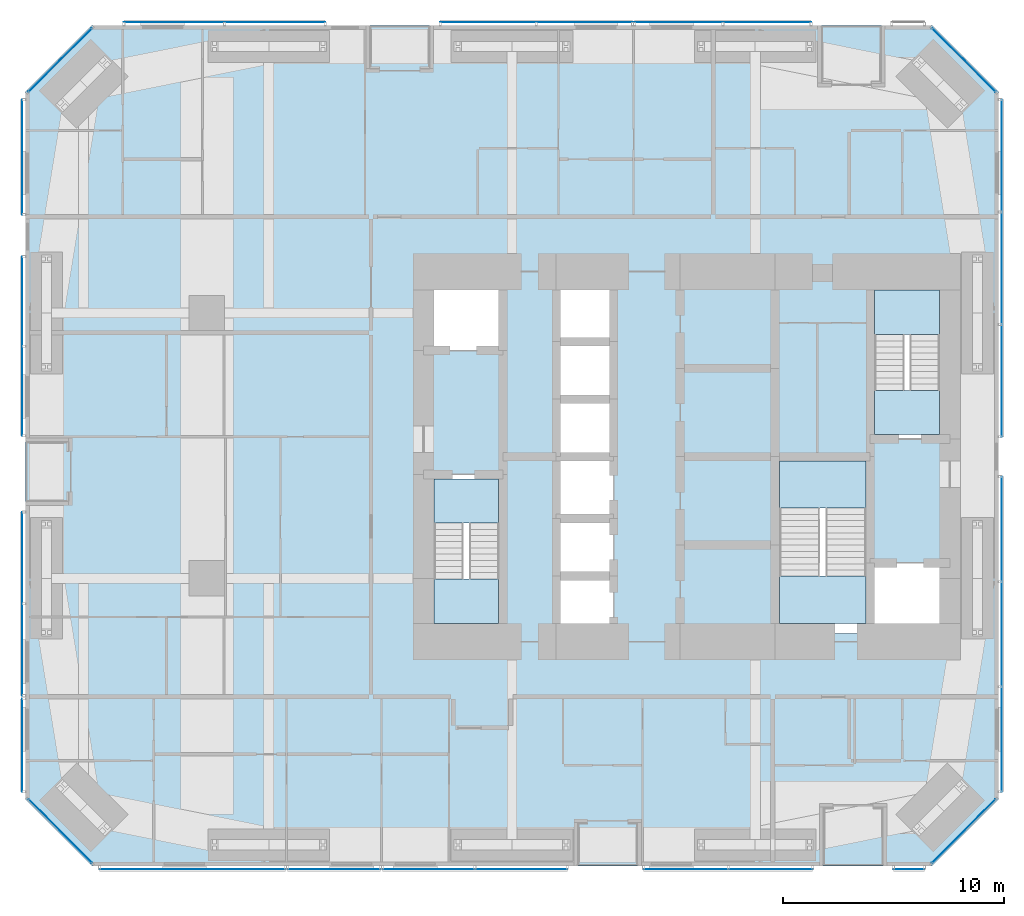
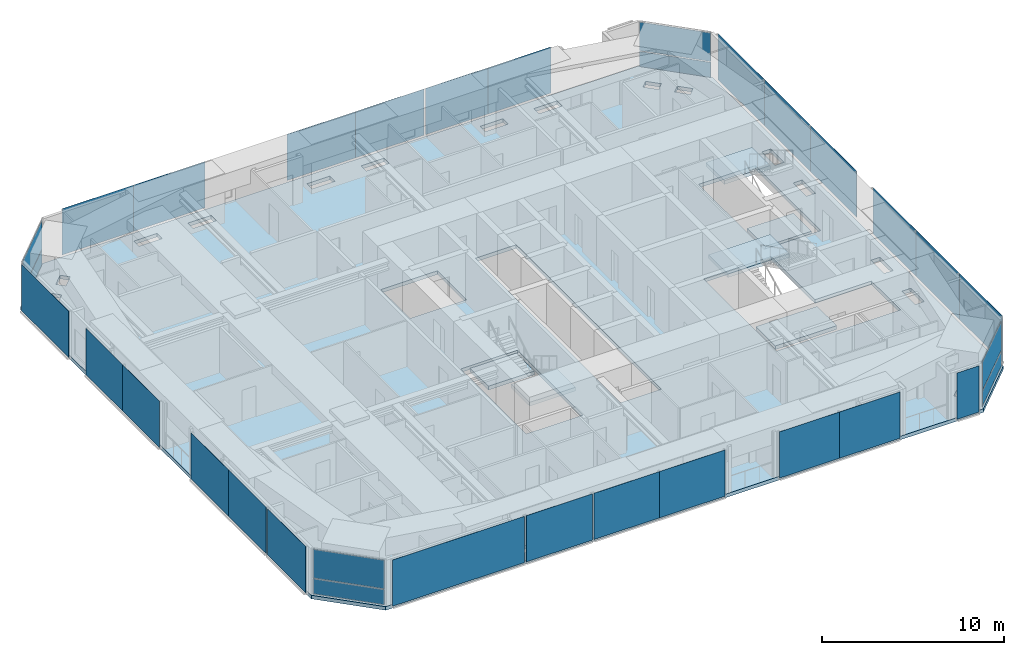
# One storey, part 16 of 24: 33 plates, 7 slabs, 21 elements without a shape of their own.
"""IFC4 building model written with IfcOpenShell, lengths in metres."""

import ifcopenshell
import ifcopenshell.guid

model = None  # the IFC model being written
_history = None  # IfcOwnerHistory: only IFC2X3 demands one
_inside = {}  # id of a spatial element -> (the spatial element, [elements in it])
_under = {}  # id of a project, library or spatial element -> (it, [spatial elements below it])
_declared = {}  # id of a project -> (the project, [libraries it declares])
_typed = {}  # id of a type object -> (the type object, [elements of that type])
_made_of = {}  # id of a material, layer set ... -> (it, [elements and type objects made of it])


def new_model(schema):
    """Start an empty IFC model of exactly this schema.

    Asked for "IFC4X3", IfcOpenShell would pick the latest addendum, in which some entities
    have other attributes; the version numbers below select the first issue.
    IFC2X3 requires an IfcOwnerHistory on every rooted entity: one is made here for all.
    """
    global model, _history
    if schema == "IFC4X3":
        model = ifcopenshell.file(schema_version=(4, 3, 0, 0))
    else:
        model = ifcopenshell.file(schema=schema)
    _inside.clear()
    _under.clear()
    _declared.clear()
    _typed.clear()
    _made_of.clear()
    _history = None
    if model.schema == "IFC2X3":
        org = make("IfcOrganization", Name="unknown")
        user = make(
            "IfcPersonAndOrganization",
            ThePerson=make("IfcPerson", FamilyName="unknown"),
            TheOrganization=org,
        )
        app = make(
            "IfcApplication",
            ApplicationDeveloper=org,
            Version="unknown",
            ApplicationFullName="unknown",
            ApplicationIdentifier="unknown",
        )
        _history = make(
            "IfcOwnerHistory",
            OwningUser=user,
            OwningApplication=app,
            ChangeAction="ADDED",
            CreationDate=0,
        )
    return model


def make(cls, **values):
    """One entity of the class cls with the attributes given. An attribute that is None is left unset."""
    return model.create_entity(
        cls, **{name: value for name, value in values.items() if value is not None}
    )


def rooted(cls, **values):
    """An entity with a GlobalId (a new one), such as an element, a storey or a relation."""
    return make(cls, GlobalId=ifcopenshell.guid.new(), OwnerHistory=_history, **values)


def si_unit(unit_type, name, prefix=None):
    """IfcSIUnit, for example si_unit("LENGTHUNIT", "METRE", prefix="MILLI")."""
    return make("IfcSIUnit", UnitType=unit_type, Prefix=prefix, Name=name)


def assignment(units):
    """IfcUnitAssignment: the units of a project."""
    return None if units is None else make("IfcUnitAssignment", Units=units)


def point(xyz):
    """IfcCartesianPoint."""
    return None if xyz is None else make("IfcCartesianPoint", Coordinates=xyz)


def direction(xyz):
    """IfcDirection."""
    return None if xyz is None else make("IfcDirection", DirectionRatios=xyz)


def frame(location, z_axis=None, x_axis=None):
    """IfcAxis2Placement3D, a coordinate frame: its origin and axes. An axis left out is left unset."""
    return make(
        "IfcAxis2Placement3D",
        Location=point(location),
        Axis=direction(z_axis),
        RefDirection=direction(x_axis),
    )


def frame_2d(location, x_axis=None):
    """IfcAxis2Placement2D, a coordinate frame in the plane: its origin and x axis."""
    return make(
        "IfcAxis2Placement2D", Location=point(location), RefDirection=direction(x_axis)
    )


def origin():
    """The frame at (0, 0, 0) with its axes left unset."""
    return frame((0.0, 0.0, 0.0))


def origin_2d():
    """The frame at (0, 0) in the plane with its x axis left unset."""
    return frame_2d((0.0, 0.0))


def place(relative_to, where):
    """IfcLocalPlacement: puts the frame where relative to a parent placement (None: the world)."""
    return make(
        "IfcLocalPlacement", PlacementRelTo=relative_to, RelativePlacement=where
    )


def context(
    kind, dimensions, precision=None, world=None, true_north=None, identifier=None
):
    """IfcGeometricRepresentationContext, for example the 3D "Model" context."""
    return make(
        "IfcGeometricRepresentationContext",
        ContextIdentifier=identifier,
        ContextType=kind,
        CoordinateSpaceDimension=dimensions,
        Precision=precision,
        WorldCoordinateSystem=world,
        TrueNorth=true_north,
    )


def subcontext(parent, identifier, kind, view, scale=None):
    """IfcGeometricRepresentationSubContext, for example "Body" below "Model"."""
    return make(
        "IfcGeometricRepresentationSubContext",
        ContextIdentifier=identifier,
        ContextType=kind,
        ParentContext=parent,
        TargetScale=scale,
        TargetView=view,
    )


def project(units=None, contexts=None):
    """IfcProject with its units and contexts."""
    return rooted(
        "IfcProject",
        Name="project",
        RepresentationContexts=contexts,
        UnitsInContext=assignment(units),
    )


def spatial(cls, under=None, at=None, **own):
    """A site, building, storey or space (cls), placed at a placement, below another one or the project."""
    s = rooted(cls, ObjectPlacement=at, **own)
    if under is not None:
        _under.setdefault(under.id(), (under, []))[1].append(s)
    return s


def polyline(points):
    """IfcPolyline through the points."""
    return make("IfcPolyline", Points=[point(p) for p in points])


def profile(cls, at=None, kind="AREA", **sizes):
    """A parametric profile (cls). Its sizes go by their IFC names, for example OverallWidth=200.0."""
    return make(cls, ProfileType=kind, Position=at, **sizes)


def rectangle(**sizes):
    """IfcRectangleProfileDef."""
    return profile("IfcRectangleProfileDef", **sizes)


def outline(outer, holes=None, kind="AREA"):
    """IfcArbitraryClosedProfileDef: a profile drawn as a closed curve; with holes, ...WithVoids."""
    if holes is None:
        return make("IfcArbitraryClosedProfileDef", ProfileType=kind, OuterCurve=outer)
    return make(
        "IfcArbitraryProfileDefWithVoids",
        ProfileType=kind,
        OuterCurve=outer,
        InnerCurves=holes,
    )


def extrude(swept, where, along, depth):
    """IfcExtrudedAreaSolid: the profile swept, set in the frame where, extruded along a direction by depth."""
    return make(
        "IfcExtrudedAreaSolid",
        SweptArea=swept,
        Position=where,
        ExtrudedDirection=direction(along),
        Depth=depth,
    )


def shape(context_of_items, identifier, shape_type, items):
    """IfcShapeRepresentation: the items that make up one representation, for example the "Body"."""
    return make(
        "IfcShapeRepresentation",
        ContextOfItems=context_of_items,
        RepresentationIdentifier=identifier,
        RepresentationType=shape_type,
        Items=items,
    )


def material(Name=None, Category=None):
    """IfcMaterial."""
    return make("IfcMaterial", Name=Name, Category=Category)


def layer(
    of_material, thickness, ventilated=None, Name=None, Category=None, Priority=None
):
    """IfcMaterialLayer: one layer of a wall or slab, of a material (None: an air gap)."""
    return make(
        "IfcMaterialLayer",
        Material=of_material,
        LayerThickness=thickness,
        IsVentilated=ventilated,
        Name=Name,
        Category=Category,
        Priority=Priority,
    )


def layer_set(layers, Name=None):
    """IfcMaterialLayerSet."""
    return make("IfcMaterialLayerSet", MaterialLayers=layers, LayerSetName=Name)


def made_of(thing, what):
    """Note that an element or type object is made of a material, layer set ...; save() writes the relation."""
    if what is not None:
        _made_of.setdefault(what.id(), (what, []))[1].append(thing)
    return thing


def type_object(cls, material=None, **own):
    """A type object (cls), such as IfcWallType, which elements share."""
    return made_of(rooted(cls, **own), material)


def element(
    cls,
    number,
    at=None,
    inside=None,
    cuts=None,
    type_object=None,
    material=None,
    context=None,
    identifier="Body",
    shape_type=None,
    held_by="IfcProductDefinitionShape",
    body=None,
    shapes=None,
    **own,
):
    """One element of the class cls, such as IfcWall. Its Tag is "e" and its number.

    at: its placement. inside: the storey or other place that contains it. cuts: it is an
    opening in that element (IfcRelVoidsElement). A single representation is given by context,
    identifier, shape_type and body (its items); several are given by shapes. held_by: the class
    of the entity that holds the representations. save() writes the other relations.
    """
    e = rooted(cls, Tag="e%d" % number, ObjectPlacement=at, **own)
    if body is not None:
        shapes = [shape(context, identifier, shape_type, body)]
    if shapes is not None:
        e.Representation = make(held_by, Representations=shapes)
    if inside is not None:
        _inside.setdefault(inside.id(), (inside, []))[1].append(e)
    if cuts is not None:
        rooted(
            "IfcRelVoidsElement", RelatingBuildingElement=cuts, RelatedOpeningElement=e
        )
    if type_object is not None:
        _typed.setdefault(type_object.id(), (type_object, []))[1].append(e)
    return made_of(e, material)


def aggregate(whole, parts):
    """IfcRelAggregates: a whole, such as a stair, and the parts it consists of."""
    return rooted("IfcRelAggregates", RelatingObject=whole, RelatedObjects=parts)


def save(model, path):
    """Write the relations noted so far, then the file.

    IfcRelAggregates (storeys below a building ...), IfcRelContainedInSpatialStructure (elements
    in a storey), IfcRelDefinesByType, IfcRelAssociatesMaterial and IfcRelDeclares: one each for
    every whole, place, type object, material and project.
    """
    for whole, parts in _under.values():
        aggregate(whole, parts)
    for where, things in _inside.values():
        rooted(
            "IfcRelContainedInSpatialStructure",
            RelatedElements=things,
            RelatingStructure=where,
        )
    for kind, things in _typed.values():
        rooted("IfcRelDefinesByType", RelatedObjects=things, RelatingType=kind)
    for what, things in _made_of.values():
        rooted("IfcRelAssociatesMaterial", RelatedObjects=things, RelatingMaterial=what)
    for by, libraries in _declared.values():
        rooted("IfcRelDeclares", RelatingContext=by, RelatedDefinitions=libraries)
    model.write(path)


model = new_model("IFC4")

# Units and contexts
model_context = context("Model", 3, precision=1e-05, world=origin(), true_north=direction((0.0, 1.0)))
body_context = subcontext(model_context, "Body", "Model", "MODEL_VIEW")
ifc_project = project(units=[si_unit("LENGTHUNIT", "METRE"), si_unit("AREAUNIT", "SQUARE_METRE"), si_unit("VOLUMEUNIT", "CUBIC_METRE"), si_unit("PLANEANGLEUNIT", "RADIAN"), si_unit("MASSUNIT", "GRAM", prefix="KILO")], contexts=[model_context])

# Site, building, storey
site_placement = place(None, origin())
site = spatial("IfcSite", under=ifc_project, at=site_placement, CompositionType="ELEMENT")
building_placement = place(site_placement, origin())
building = spatial("IfcBuilding", under=site, at=building_placement, Name="Jalousie Tower", CompositionType="ELEMENT")
storey_placement = place(building_placement, frame((0.0, 0.0, 61.199951171875)))
storey = spatial("IfcBuildingStorey", under=building, at=storey_placement, Name="L16", CompositionType="ELEMENT", Elevation=61.199951171875)

# Curtain wall, plates
ifc_material_1 = material(Name="Aluminium curtain wall", Category="aluminium")
curtain_wall_type_1 = type_object("IfcCurtainWallType", Name="CORNER WINDOW WALL", PredefinedType="USERDEFINED", material=ifc_material_1)
curtain_wall_1_placement = place(storey_placement, origin())
curtain_wall_1 = element("IfcCurtainWall", 1, at=curtain_wall_1_placement, inside=storey, type_object=curtain_wall_type_1, Name="Corner Window Wall L16 2", ObjectType="CORNER WINDOW WALL", PredefinedType="USERDEFINED")
ifc_material_2 = material(Name="Laminated impact-rated spandrel glass", Category="glass")
ifc_layer_1 = layer(ifc_material_2, 0.028076171875)
ifc_layer_set_1 = layer_set([ifc_layer_1], Name="Laminated impact-rated spandrel glass")
plate_type_1 = type_object("IfcPlateType", Name="CORNER WINDOW WALL PANEL", PredefinedType="CURTAIN_PANEL", material=ifc_layer_set_1)
plate_1_placement = place(storey_placement, frame((44.4306640625, 1.5693359375, 0.06005859375), z_axis=(0.0, 0.0, 1.0), x_axis=(0.707106781187, 0.707106781187, 0.0)))
plate_1 = element("IfcPlate", 2, at=plate_1_placement, type_object=plate_type_1, Name="CW-C panel 1.1", PredefinedType="CURTAIN_PANEL", context=body_context, shape_type="SweptSolid", body=[
    extrude(rectangle(XDim=4.071533203125, YDim=0.028076171875, at=origin_2d()), origin(), (0.0, 0.0, 1.0), 1.010009765625),
])
plate_2_placement = place(storey_placement, frame((44.4306640625, 1.5693359375, 1.130126953125), z_axis=(0.0, 0.0, 1.0), x_axis=(0.707106781187, 0.707106781187, 0.0)))
plate_2 = element("IfcPlate", 3, at=plate_2_placement, type_object=plate_type_1, Name="CW-C panel 1.2", PredefinedType="CURTAIN_PANEL", context=body_context, shape_type="SweptSolid", body=[
    extrude(rectangle(XDim=4.071533203125, YDim=0.028076171875, at=origin_2d()), origin(), (0.0, 0.0, 1.0), 1.919921875),
])
aggregate(curtain_wall_1, [plate_1, plate_2])

curtain_wall_2_placement = place(storey_placement, origin())
curtain_wall_2 = element("IfcCurtainWall", 4, at=curtain_wall_2_placement, inside=storey, type_object=curtain_wall_type_1, Name="Corner Window Wall L16 4", ObjectType="CORNER WINDOW WALL", PredefinedType="USERDEFINED")
plate_3_placement = place(storey_placement, frame((44.4306640625, 36.4306640625, 0.06005859375), z_axis=(0.0, 0.0, 1.0), x_axis=(-0.707106781187, 0.707106781187, 0.0)))
plate_3 = element("IfcPlate", 5, at=plate_3_placement, type_object=plate_type_1, Name="CW-C panel 1.1", PredefinedType="CURTAIN_PANEL", context=body_context, shape_type="SweptSolid", body=[
    extrude(rectangle(XDim=4.071533203125, YDim=0.028076171875, at=origin_2d()), origin(), (0.0, 0.0, 1.0), 1.010009765625),
])
plate_4_placement = place(storey_placement, frame((44.4306640625, 36.4306640625, 1.130126953125), z_axis=(0.0, 0.0, 1.0), x_axis=(-0.707106781187, 0.707106781187, 0.0)))
plate_4 = element("IfcPlate", 6, at=plate_4_placement, type_object=plate_type_1, Name="CW-C panel 1.2", PredefinedType="CURTAIN_PANEL", context=body_context, shape_type="SweptSolid", body=[
    extrude(rectangle(XDim=4.071533203125, YDim=0.028076171875, at=origin_2d()), origin(), (0.0, 0.0, 1.0), 1.919921875),
])
aggregate(curtain_wall_2, [plate_3, plate_4])

curtain_wall_3_placement = place(storey_placement, origin())
curtain_wall_3 = element("IfcCurtainWall", 7, at=curtain_wall_3_placement, inside=storey, type_object=curtain_wall_type_1, Name="Corner Window Wall L16 6", ObjectType="CORNER WINDOW WALL", PredefinedType="USERDEFINED")
plate_5_placement = place(storey_placement, frame((3.5693359375, 36.4306640625, 0.06005859375), z_axis=(0.0, 0.0, 1.0), x_axis=(-0.707106781187, -0.707106781187, 0.0)))
plate_5 = element("IfcPlate", 8, at=plate_5_placement, type_object=plate_type_1, Name="CW-C panel 1.1", PredefinedType="CURTAIN_PANEL", context=body_context, shape_type="SweptSolid", body=[
    extrude(rectangle(XDim=4.071533203125, YDim=0.028076171875, at=origin_2d()), origin(), (0.0, 0.0, 1.0), 1.010009765625),
])
plate_6_placement = place(storey_placement, frame((3.5693359375, 36.4306640625, 1.130126953125), z_axis=(0.0, 0.0, 1.0), x_axis=(-0.707106781187, -0.707106781187, 0.0)))
plate_6 = element("IfcPlate", 9, at=plate_6_placement, type_object=plate_type_1, Name="CW-C panel 1.2", PredefinedType="CURTAIN_PANEL", context=body_context, shape_type="SweptSolid", body=[
    extrude(rectangle(XDim=4.071533203125, YDim=0.028076171875, at=origin_2d()), origin(), (0.0, 0.0, 1.0), 1.919921875),
])
aggregate(curtain_wall_3, [plate_5, plate_6])

curtain_wall_4_placement = place(storey_placement, origin())
curtain_wall_4 = element("IfcCurtainWall", 10, at=curtain_wall_4_placement, inside=storey, type_object=curtain_wall_type_1, Name="Corner Window Wall L16 8", ObjectType="CORNER WINDOW WALL", PredefinedType="USERDEFINED")
plate_7_placement = place(storey_placement, frame((3.5693359375, 1.5693359375, 0.06005859375), z_axis=(0.0, 0.0, 1.0), x_axis=(0.707106781187, -0.707106781187, 0.0)))
plate_7 = element("IfcPlate", 11, at=plate_7_placement, type_object=plate_type_1, Name="CW-C panel 1.1", PredefinedType="CURTAIN_PANEL", context=body_context, shape_type="SweptSolid", body=[
    extrude(rectangle(XDim=4.071533203125, YDim=0.028076171875, at=origin_2d()), origin(), (0.0, 0.0, 1.0), 1.010009765625),
])
plate_8_placement = place(storey_placement, frame((3.5693359375, 1.5693359375, 1.130126953125), z_axis=(0.0, 0.0, 1.0), x_axis=(0.707106781187, -0.707106781187, 0.0)))
plate_8 = element("IfcPlate", 12, at=plate_8_placement, type_object=plate_type_1, Name="CW-C panel 1.2", PredefinedType="CURTAIN_PANEL", context=body_context, shape_type="SweptSolid", body=[
    extrude(rectangle(XDim=4.071533203125, YDim=0.028076171875, at=origin_2d()), origin(), (0.0, 0.0, 1.0), 1.919921875),
])
aggregate(curtain_wall_4, [plate_7, plate_8])

# Slab
ifc_material_3 = material(Name="Concrete f'c 40 MPa", Category="concrete")
ifc_layer_2 = layer(ifc_material_3, 0.239990234375)
ifc_layer_set_2 = layer_set([ifc_layer_2], Name="Concrete f'c 40 MPa")
slab_type_1 = type_object("IfcSlabType", Name="FLOOR SLAB 240", PredefinedType="FLOOR", material=ifc_layer_set_2)
slab_1_placement = place(storey_placement, frame((0.0, 0.0, -0.239990234375)))
element("IfcSlab", 13, at=slab_1_placement, inside=storey, type_object=slab_type_1, Name="L16 floor slab", PredefinedType="FLOOR", context=body_context, shape_type="SweptSolid", body=[
    extrude(outline(polyline([(5.0, 0.0), (43.0, 0.0), (46.0, 3.0), (46.0, 35.0), (43.0, 38.0), (5.0, 38.0), (2.0, 35.0), (2.0, 3.0), (5.0, 0.0)]), holes=[polyline([(24.986083984375, 0.663818359375), (24.986083984375, 1.236083984375), (26.390380859375, 1.236083984375), (26.449951171875, 1.236083984375), (26.449951171875, 0.663818359375), (26.390380859375, 0.663818359375), (24.986083984375, 0.663818359375)]), polyline([(23.013916015625, 1.236083984375), (23.013916015625, 0.663818359375), (21.609619140625, 0.663818359375), (21.550048828125, 0.663818359375), (21.550048828125, 1.236083984375), (21.609619140625, 1.236083984375), (23.013916015625, 1.236083984375)]), polyline([(10.550048828125, 1.236083984375), (10.609619140625, 1.236083984375), (12.013916015625, 1.236083984375), (12.013916015625, 0.663818359375), (10.609619140625, 0.663818359375), (10.550048828125, 0.663818359375), (10.550048828125, 1.236083984375)]), polyline([(13.986083984375, 1.236083984375), (15.390380859375, 1.236083984375), (15.449951171875, 1.236083984375), (15.449951171875, 0.663818359375), (15.390380859375, 0.663818359375), (13.986083984375, 0.663818359375), (13.986083984375, 1.236083984375)]), polyline([(5.383544921875, 1.474365234375), (5.29736328125, 1.560791015625), (4.750244140625, 2.10791015625), (5.155029296875, 2.5126953125), (5.788330078125, 1.879150390625), (5.383544921875, 1.474365234375)]), polyline([(4.10791015625, 2.750244140625), (3.474365234375, 3.383544921875), (3.879150390625, 3.788330078125), (3.96533203125, 3.7021484375), (4.5126953125, 3.155029296875), (4.10791015625, 2.750244140625)]), polyline([(3.236083984375, 10.550048828125), (2.663818359375, 10.550048828125), (2.663818359375, 10.609619140625), (2.663818359375, 12.013916015625), (3.236083984375, 12.013916015625), (3.236083984375, 10.609619140625), (3.236083984375, 10.550048828125)]), polyline([(26.0, 10.5), (26.0, 26.5), (28.60009765625, 26.5), (28.60009765625, 10.5), (26.0, 10.5)]), polyline([(20.0, 10.5), (23.60009765625, 10.5), (23.60009765625, 17.699951171875), (20.0, 17.699951171875), (20.0, 10.5)]), polyline([(3.236083984375, 15.390380859375), (3.236083984375, 13.986083984375), (2.663818359375, 13.986083984375), (2.663818359375, 15.390380859375), (2.663818359375, 15.449951171875), (3.236083984375, 15.449951171875), (3.236083984375, 15.390380859375)]), polyline([(2.663818359375, 24.013916015625), (3.236083984375, 24.013916015625), (3.236083984375, 22.609619140625), (3.236083984375, 22.550048828125), (2.663818359375, 22.550048828125), (2.663818359375, 22.609619140625), (2.663818359375, 24.013916015625)]), polyline([(20.0, 23.300048828125), (23.60009765625, 23.300048828125), (23.60009765625, 26.5), (20.0, 26.5), (20.0, 23.300048828125)]), polyline([(3.236083984375, 25.986083984375), (2.663818359375, 25.986083984375), (2.663818359375, 27.390380859375), (2.663818359375, 27.449951171875), (3.236083984375, 27.449951171875), (3.236083984375, 27.390380859375), (3.236083984375, 25.986083984375)]), polyline([(4.10791015625, 35.249755859375), (4.5126953125, 34.844970703125), (3.879150390625, 34.211669921875), (3.474365234375, 34.616455078125), (4.10791015625, 35.249755859375)]), polyline([(5.788330078125, 36.120849609375), (5.155029296875, 35.4873046875), (4.750244140625, 35.89208984375), (5.383544921875, 36.525634765625), (5.383544921875, 36.525634765625), (5.383544921875, 36.525634765625), (5.5859375, 36.3232421875), (5.788330078125, 36.120849609375)]), polyline([(15.449951171875, 37.336181640625), (15.449951171875, 36.763916015625), (15.390380859375, 36.763916015625), (13.986083984375, 36.763916015625), (13.986083984375, 37.336181640625), (15.390380859375, 37.336181640625), (15.449951171875, 37.336181640625)]), polyline([(23.013916015625, 36.763916015625), (21.609619140625, 36.763916015625), (21.550048828125, 36.763916015625), (21.550048828125, 37.336181640625), (21.609619140625, 37.336181640625), (23.013916015625, 37.336181640625), (23.013916015625, 36.763916015625)]), polyline([(10.550048828125, 36.763916015625), (10.550048828125, 37.336181640625), (10.609619140625, 37.336181640625), (12.013916015625, 37.336181640625), (12.013916015625, 36.763916015625), (10.609619140625, 36.763916015625), (10.550048828125, 36.763916015625)]), polyline([(24.986083984375, 37.336181640625), (26.390380859375, 37.336181640625), (26.449951171875, 37.336181640625), (26.449951171875, 36.763916015625), (26.390380859375, 36.763916015625), (24.986083984375, 36.763916015625), (24.986083984375, 37.336181640625)]), polyline([(32.609619140625, 0.663818359375), (32.550048828125, 0.663818359375), (32.550048828125, 1.236083984375), (32.609619140625, 1.236083984375), (34.013916015625, 1.236083984375), (34.013916015625, 0.663818359375), (32.609619140625, 0.663818359375)]), polyline([(37.390380859375, 1.236083984375), (37.449951171875, 1.236083984375), (37.449951171875, 0.663818359375), (37.390380859375, 0.663818359375), (35.986083984375, 0.663818359375), (35.986083984375, 1.236083984375), (37.390380859375, 1.236083984375)]), polyline([(42.70263671875, 1.560791015625), (42.616455078125, 1.474365234375), (42.211669921875, 1.879150390625), (42.844970703125, 2.5126953125), (43.249755859375, 2.10791015625), (42.70263671875, 1.560791015625)]), polyline([(44.120849609375, 3.788330078125), (44.3232421875, 3.5859375), (44.525634765625, 3.383544921875), (44.525634765625, 3.383544921875), (44.525634765625, 3.383544921875), (43.89208984375, 2.750244140625), (43.4873046875, 3.155029296875), (44.120849609375, 3.788330078125)]), polyline([(45.336181640625, 10.550048828125), (44.763916015625, 10.550048828125), (44.763916015625, 10.609619140625), (44.763916015625, 12.013916015625), (45.336181640625, 12.013916015625), (45.336181640625, 10.609619140625), (45.336181640625, 10.550048828125)]), polyline([(35.89990234375, 10.5), (35.89990234375, 18.5), (40.199951171875, 18.5), (40.199951171875, 13.699951171875), (43.800048828125, 13.699951171875), (43.800048828125, 10.5), (35.89990234375, 10.5)]), polyline([(45.336181640625, 13.986083984375), (44.763916015625, 13.986083984375), (44.763916015625, 15.390380859375), (44.763916015625, 15.449951171875), (45.336181640625, 15.449951171875), (45.336181640625, 15.390380859375), (45.336181640625, 13.986083984375)]), polyline([(40.199951171875, 19.300048828125), (43.800048828125, 19.300048828125), (43.800048828125, 26.5), (40.199951171875, 26.5), (40.199951171875, 19.300048828125)]), polyline([(45.336181640625, 22.550048828125), (44.763916015625, 22.550048828125), (44.763916015625, 22.609619140625), (44.763916015625, 24.013916015625), (45.336181640625, 24.013916015625), (45.336181640625, 22.609619140625), (45.336181640625, 22.550048828125)]), polyline([(45.336181640625, 27.390380859375), (45.336181640625, 25.986083984375), (44.763916015625, 25.986083984375), (44.763916015625, 27.390380859375), (44.763916015625, 27.449951171875), (45.336181640625, 27.449951171875), (45.336181640625, 27.390380859375)]), polyline([(43.89208984375, 35.249755859375), (44.439208984375, 34.70263671875), (44.525634765625, 34.616455078125), (44.120849609375, 34.211669921875), (43.4873046875, 34.844970703125), (43.89208984375, 35.249755859375)]), polyline([(42.844970703125, 35.4873046875), (42.211669921875, 36.120849609375), (42.616455078125, 36.525634765625), (42.70263671875, 36.439208984375), (43.249755859375, 35.89208984375), (42.844970703125, 35.4873046875)]), polyline([(37.390380859375, 37.336181640625), (37.449951171875, 37.336181640625), (37.449951171875, 36.763916015625), (37.390380859375, 36.763916015625), (35.986083984375, 36.763916015625), (35.986083984375, 37.336181640625), (37.390380859375, 37.336181640625)]), polyline([(34.013916015625, 37.336181640625), (34.013916015625, 36.763916015625), (32.609619140625, 36.763916015625), (32.550048828125, 36.763916015625), (32.550048828125, 37.336181640625), (32.609619140625, 37.336181640625), (34.013916015625, 37.336181640625)])]), origin(), (0.0, 0.0, 1.0), 0.239990234375),
])

# Curtain wall, plate
ifc_material_4 = material(Name="Perforated aluminium sheet", Category="aluminium")
curtain_wall_type_2 = type_object("IfcCurtainWallType", Name="SOLAR SCREEN SS-1", PredefinedType="USERDEFINED", material=ifc_material_4)
curtain_wall_5_placement = place(storey_placement, origin())
curtain_wall_5 = element("IfcCurtainWall", 14, at=curtain_wall_5_placement, inside=storey, type_object=curtain_wall_type_2, Name="Solar screen L16", ObjectType="SOLAR SCREEN SS-1", PredefinedType="USERDEFINED")
ifc_material_5 = material(Name="Perforated aluminium sheet", Category="aluminium")
ifc_layer_3 = layer(ifc_material_5, 0.006103515625)
ifc_layer_set_3 = layer_set([ifc_layer_3], Name="Perforated aluminium sheet")
plate_type_2 = type_object("IfcPlateType", Name="SOLAR SCREEN SS-1 PANEL", PredefinedType="CURTAIN_PANEL", material=ifc_layer_set_3)
plate_9_placement = place(storey_placement, frame((9.55078125, -0.150390625, 0.0), z_axis=(0.0, 0.0, 1.0), x_axis=(1.0, 0.0, 0.0)))
plate_9 = element("IfcPlate", 15, at=plate_9_placement, type_object=plate_type_2, Name="SS1 perforated panel 1", PredefinedType="CURTAIN_PANEL", context=body_context, shape_type="SweptSolid", body=[
    extrude(rectangle(XDim=8.398681640625, YDim=0.006103515625, at=origin_2d()), origin(), (0.0, 0.0, 1.0), 3.110107421875),
])
aggregate(curtain_wall_5, [plate_9])

curtain_wall_6_placement = place(storey_placement, origin())
curtain_wall_6 = element("IfcCurtainWall", 16, at=curtain_wall_6_placement, inside=storey, type_object=curtain_wall_type_2, Name="Solar screen L16", ObjectType="SOLAR SCREEN SS-1", PredefinedType="USERDEFINED")
plate_10_placement = place(storey_placement, frame((15.949951171875, -0.150390625, 0.0), z_axis=(0.0, 0.0, 1.0), x_axis=(1.0, 0.0, 0.0)))
plate_10 = element("IfcPlate", 17, at=plate_10_placement, type_object=plate_type_2, Name="SS1 perforated panel 1", PredefinedType="CURTAIN_PANEL", context=body_context, shape_type="SweptSolid", body=[
    extrude(rectangle(XDim=4.199951171875, YDim=0.006103515625, at=origin_2d()), origin(), (0.0, 0.0, 1.0), 3.110107421875),
])
aggregate(curtain_wall_6, [plate_10])

# Curtain wall, plates
curtain_wall_7_placement = place(storey_placement, origin())
curtain_wall_7 = element("IfcCurtainWall", 18, at=curtain_wall_7_placement, inside=storey, type_object=curtain_wall_type_2, Name="Solar screen L16", ObjectType="SOLAR SCREEN SS-1", PredefinedType="USERDEFINED")
plate_11_placement = place(storey_placement, frame((20.237548828125, -0.150390625, 0.0), z_axis=(0.0, 0.0, 1.0), x_axis=(1.0, 0.0, 0.0)))
plate_11 = element("IfcPlate", 19, at=plate_11_placement, type_object=plate_type_2, Name="SS1 perforated panel 1", PredefinedType="CURTAIN_PANEL", context=body_context, shape_type="SweptSolid", body=[
    extrude(rectangle(XDim=4.175048828125, YDim=0.006103515625, at=origin_2d()), origin(), (0.0, 0.0, 1.0), 3.110107421875),
])
plate_12_placement = place(storey_placement, frame((24.41259765625, -0.150390625, 0.0), z_axis=(0.0, 0.0, 1.0), x_axis=(1.0, 0.0, 0.0)))
plate_12 = element("IfcPlate", 20, at=plate_12_placement, type_object=plate_type_2, Name="SS1 perforated panel 2", PredefinedType="CURTAIN_PANEL", context=body_context, shape_type="SweptSolid", body=[
    extrude(rectangle(XDim=4.175048828125, YDim=0.006103515625, at=origin_2d()), origin(), (0.0, 0.0, 1.0), 3.110107421875),
])
aggregate(curtain_wall_7, [plate_11, plate_12])

curtain_wall_8_placement = place(storey_placement, origin())
curtain_wall_8 = element("IfcCurtainWall", 21, at=curtain_wall_8_placement, inside=storey, type_object=curtain_wall_type_2, Name="Solar screen L16", ObjectType="SOLAR SCREEN SS-1", PredefinedType="USERDEFINED")
plate_13_placement = place(storey_placement, frame((31.862548828125, -0.150390625, 0.0), z_axis=(0.0, 0.0, 1.0), x_axis=(1.0, 0.0, 0.0)))
plate_13 = element("IfcPlate", 22, at=plate_13_placement, type_object=plate_type_2, Name="SS1 perforated panel 1", PredefinedType="CURTAIN_PANEL", context=body_context, shape_type="SweptSolid", body=[
    extrude(rectangle(XDim=3.824951171875, YDim=0.006103515625, at=origin_2d()), origin(), (0.0, 0.0, 1.0), 3.110107421875),
])
plate_14_placement = place(storey_placement, frame((35.6875, -0.150390625, 0.0), z_axis=(0.0, 0.0, 1.0), x_axis=(1.0, 0.0, 0.0)))
plate_14 = element("IfcPlate", 23, at=plate_14_placement, type_object=plate_type_2, Name="SS1 perforated panel 2", PredefinedType="CURTAIN_PANEL", context=body_context, shape_type="SweptSolid", body=[
    extrude(rectangle(XDim=3.824951171875, YDim=0.006103515625, at=origin_2d()), origin(), (0.0, 0.0, 1.0), 3.110107421875),
])
aggregate(curtain_wall_8, [plate_13, plate_14])

# Curtain wall, plate
curtain_wall_9_placement = place(storey_placement, origin())
curtain_wall_9 = element("IfcCurtainWall", 24, at=curtain_wall_9_placement, inside=storey, type_object=curtain_wall_type_2, Name="Solar screen L16", ObjectType="SOLAR SCREEN SS-1", PredefinedType="USERDEFINED")
plate_15_placement = place(storey_placement, frame((41.94921875, -0.150390625, 0.0), z_axis=(0.0, 0.0, 1.0), x_axis=(1.0, 0.0, 0.0)))
plate_15 = element("IfcPlate", 25, at=plate_15_placement, type_object=plate_type_2, Name="SS1 perforated panel 1", PredefinedType="CURTAIN_PANEL", context=body_context, shape_type="SweptSolid", body=[
    extrude(rectangle(XDim=1.398681640625, YDim=0.006103515625, at=origin_2d()), origin(), (0.0, 0.0, 1.0), 3.110107421875),
])
aggregate(curtain_wall_9, [plate_15])

# Curtain wall, plates
curtain_wall_10_placement = place(storey_placement, origin())
curtain_wall_10 = element("IfcCurtainWall", 26, at=curtain_wall_10_placement, inside=storey, type_object=curtain_wall_type_2, Name="Solar screen L16", ObjectType="SOLAR SCREEN SS-1", PredefinedType="USERDEFINED")
plate_16_placement = place(storey_placement, frame((46.150390625, 5.72607421875, 0.0), z_axis=(0.0, 0.0, 1.0), x_axis=(0.0, 1.0, 0.0)))
plate_16 = element("IfcPlate", 27, at=plate_16_placement, type_object=plate_type_2, Name="SS1 perforated panel 1", PredefinedType="CURTAIN_PANEL", context=body_context, shape_type="SweptSolid", body=[
    extrude(rectangle(XDim=4.74951171875, YDim=0.006103515625, at=origin_2d()), origin(), (0.0, 0.0, 1.0), 3.110107421875),
])
plate_17_placement = place(storey_placement, frame((46.150390625, 10.4755859375, 0.0), z_axis=(0.0, 0.0, 1.0), x_axis=(0.0, 1.0, 0.0)))
plate_17 = element("IfcPlate", 28, at=plate_17_placement, type_object=plate_type_2, Name="SS1 perforated panel 2", PredefinedType="CURTAIN_PANEL", context=body_context, shape_type="SweptSolid", body=[
    extrude(rectangle(XDim=4.74951171875, YDim=0.006103515625, at=origin_2d()), origin(), (0.0, 0.0, 1.0), 3.110107421875),
])
plate_18_placement = place(storey_placement, frame((46.150390625, 15.22509765625, 0.0), z_axis=(0.0, 0.0, 1.0), x_axis=(0.0, 1.0, 0.0)))
plate_18 = element("IfcPlate", 29, at=plate_18_placement, type_object=plate_type_2, Name="SS1 perforated panel 3", PredefinedType="CURTAIN_PANEL", context=body_context, shape_type="SweptSolid", body=[
    extrude(rectangle(XDim=4.74951171875, YDim=0.006103515625, at=origin_2d()), origin(), (0.0, 0.0, 1.0), 3.110107421875),
])
aggregate(curtain_wall_10, [plate_16, plate_17, plate_18])

curtain_wall_11_placement = place(storey_placement, origin())
curtain_wall_11 = element("IfcCurtainWall", 30, at=curtain_wall_11_placement, inside=storey, type_object=curtain_wall_type_2, Name="Solar screen L16", ObjectType="SOLAR SCREEN SS-1", PredefinedType="USERDEFINED")
plate_19_placement = place(storey_placement, frame((46.150390625, 21.94140625, 0.0), z_axis=(0.0, 0.0, 1.0), x_axis=(0.0, 1.0, 0.0)))
plate_19 = element("IfcPlate", 31, at=plate_19_placement, type_object=plate_type_2, Name="SS1 perforated panel 1", PredefinedType="CURTAIN_PANEL", context=body_context, shape_type="SweptSolid", body=[
    extrude(rectangle(XDim=5.0830078125, YDim=0.006103515625, at=origin_2d()), origin(), (0.0, 0.0, 1.0), 3.110107421875),
])
plate_20_placement = place(storey_placement, frame((46.150390625, 27.0244140625, 0.0), z_axis=(0.0, 0.0, 1.0), x_axis=(0.0, 1.0, 0.0)))
plate_20 = element("IfcPlate", 32, at=plate_20_placement, type_object=plate_type_2, Name="SS1 perforated panel 2", PredefinedType="CURTAIN_PANEL", context=body_context, shape_type="SweptSolid", body=[
    extrude(rectangle(XDim=5.0830078125, YDim=0.006103515625, at=origin_2d()), origin(), (0.0, 0.0, 1.0), 3.110107421875),
])
plate_21_placement = place(storey_placement, frame((46.150390625, 32.107177734375, 0.0), z_axis=(0.0, 0.0, 1.0), x_axis=(0.0, 1.0, 0.0)))
plate_21 = element("IfcPlate", 33, at=plate_21_placement, type_object=plate_type_2, Name="SS1 perforated panel 3", PredefinedType="CURTAIN_PANEL", context=body_context, shape_type="SweptSolid", body=[
    extrude(rectangle(XDim=5.0830078125, YDim=0.006103515625, at=origin_2d()), origin(), (0.0, 0.0, 1.0), 3.110107421875),
])
aggregate(curtain_wall_11, [plate_19, plate_20, plate_21])

curtain_wall_12_placement = place(storey_placement, origin())
curtain_wall_12 = element("IfcCurtainWall", 34, at=curtain_wall_12_placement, inside=storey, type_object=curtain_wall_type_2, Name="Solar screen L16", ObjectType="SOLAR SCREEN SS-1", PredefinedType="USERDEFINED")
plate_22_placement = place(storey_placement, frame((35.5302734375, 38.150390625, 0.0), z_axis=(0.0, 0.0, 1.0), x_axis=(-1.0, 0.0, 0.0)))
plate_22 = element("IfcPlate", 35, at=plate_22_placement, type_object=plate_type_2, Name="SS1 perforated panel 1", PredefinedType="CURTAIN_PANEL", context=body_context, shape_type="SweptSolid", body=[
    extrude(rectangle(XDim=3.98681640625, YDim=0.006103515625, at=origin_2d()), origin(), (0.0, 0.0, 1.0), 3.110107421875),
])
plate_23_placement = place(storey_placement, frame((31.54345703125, 38.150390625, 0.0), z_axis=(0.0, 0.0, 1.0), x_axis=(-1.0, 0.0, 0.0)))
plate_23 = element("IfcPlate", 36, at=plate_23_placement, type_object=plate_type_2, Name="SS1 perforated panel 2", PredefinedType="CURTAIN_PANEL", context=body_context, shape_type="SweptSolid", body=[
    extrude(rectangle(XDim=3.98681640625, YDim=0.006103515625, at=origin_2d()), origin(), (0.0, 0.0, 1.0), 3.110107421875),
])
aggregate(curtain_wall_12, [plate_22, plate_23])

curtain_wall_13_placement = place(storey_placement, origin())
curtain_wall_13 = element("IfcCurtainWall", 37, at=curtain_wall_13_placement, inside=storey, type_object=curtain_wall_type_2, Name="Solar screen L16", ObjectType="SOLAR SCREEN SS-1", PredefinedType="USERDEFINED")
plate_24_placement = place(storey_placement, frame((27.27490234375, 38.150390625, 0.0), z_axis=(0.0, 0.0, 1.0), x_axis=(-1.0, 0.0, 0.0)))
plate_24 = element("IfcPlate", 38, at=plate_24_placement, type_object=plate_type_2, Name="SS1 perforated panel 1", PredefinedType="CURTAIN_PANEL", context=body_context, shape_type="SweptSolid", body=[
    extrude(rectangle(XDim=4.35009765625, YDim=0.006103515625, at=origin_2d()), origin(), (0.0, 0.0, 1.0), 3.110107421875),
])
plate_25_placement = place(storey_placement, frame((22.925048828125, 38.150390625, 0.0), z_axis=(0.0, 0.0, 1.0), x_axis=(-1.0, 0.0, 0.0)))
plate_25 = element("IfcPlate", 39, at=plate_25_placement, type_object=plate_type_2, Name="SS1 perforated panel 2", PredefinedType="CURTAIN_PANEL", context=body_context, shape_type="SweptSolid", body=[
    extrude(rectangle(XDim=4.35009765625, YDim=0.006103515625, at=origin_2d()), origin(), (0.0, 0.0, 1.0), 3.110107421875),
])
aggregate(curtain_wall_13, [plate_24, plate_25])

curtain_wall_14_placement = place(storey_placement, origin())
curtain_wall_14 = element("IfcCurtainWall", 40, at=curtain_wall_14_placement, inside=storey, type_object=curtain_wall_type_2, Name="Solar screen L16", ObjectType="SOLAR SCREEN SS-1", PredefinedType="USERDEFINED")
plate_26_placement = place(storey_placement, frame((13.27490234375, 38.150390625, 0.0), z_axis=(0.0, 0.0, 1.0), x_axis=(-1.0, 0.0, 0.0)))
plate_26 = element("IfcPlate", 41, at=plate_26_placement, type_object=plate_type_2, Name="SS1 perforated panel 1", PredefinedType="CURTAIN_PANEL", context=body_context, shape_type="SweptSolid", body=[
    extrude(rectangle(XDim=4.550048828125, YDim=0.006103515625, at=origin_2d()), origin(), (0.0, 0.0, 1.0), 3.110107421875),
])
plate_27_placement = place(storey_placement, frame((8.72509765625, 38.150390625, 0.0), z_axis=(0.0, 0.0, 1.0), x_axis=(-1.0, 0.0, 0.0)))
plate_27 = element("IfcPlate", 42, at=plate_27_placement, type_object=plate_type_2, Name="SS1 perforated panel 2", PredefinedType="CURTAIN_PANEL", context=body_context, shape_type="SweptSolid", body=[
    extrude(rectangle(XDim=4.550048828125, YDim=0.006103515625, at=origin_2d()), origin(), (0.0, 0.0, 1.0), 3.110107421875),
])
aggregate(curtain_wall_14, [plate_26, plate_27])

# Curtain wall, plate
curtain_wall_15_placement = place(storey_placement, origin())
curtain_wall_15 = element("IfcCurtainWall", 43, at=curtain_wall_15_placement, inside=storey, type_object=curtain_wall_type_2, Name="Solar screen L16", ObjectType="SOLAR SCREEN SS-1", PredefinedType="USERDEFINED")
plate_28_placement = place(storey_placement, frame((1.849609375, 32.04931640625, 0.0), z_axis=(0.0, 0.0, 1.0), x_axis=(0.0, -1.0, 0.0)))
plate_28 = element("IfcPlate", 44, at=plate_28_placement, type_object=plate_type_2, Name="SS1 perforated panel 1", PredefinedType="CURTAIN_PANEL", context=body_context, shape_type="SweptSolid", body=[
    extrude(rectangle(XDim=5.19873046875, YDim=0.006103515625, at=origin_2d()), origin(), (0.0, 0.0, 1.0), 3.110107421875),
])
aggregate(curtain_wall_15, [plate_28])

# Curtain wall, plates
curtain_wall_16_placement = place(storey_placement, origin())
curtain_wall_16 = element("IfcCurtainWall", 45, at=curtain_wall_16_placement, inside=storey, type_object=curtain_wall_type_2, Name="Solar screen L16", ObjectType="SOLAR SCREEN SS-1", PredefinedType="USERDEFINED")
plate_29_placement = place(storey_placement, frame((1.849609375, 25.52490234375, 0.0), z_axis=(0.0, 0.0, 1.0), x_axis=(0.0, -1.0, 0.0)))
plate_29 = element("IfcPlate", 46, at=plate_29_placement, type_object=plate_type_2, Name="SS1 perforated panel 1", PredefinedType="CURTAIN_PANEL", context=body_context, shape_type="SweptSolid", body=[
    extrude(rectangle(XDim=4.050048828125, YDim=0.006103515625, at=origin_2d()), origin(), (0.0, 0.0, 1.0), 3.110107421875),
])
plate_30_placement = place(storey_placement, frame((1.849609375, 21.47509765625, 0.0), z_axis=(0.0, 0.0, 1.0), x_axis=(0.0, -1.0, 0.0)))
plate_30 = element("IfcPlate", 47, at=plate_30_placement, type_object=plate_type_2, Name="SS1 perforated panel 2", PredefinedType="CURTAIN_PANEL", context=body_context, shape_type="SweptSolid", body=[
    extrude(rectangle(XDim=4.050048828125, YDim=0.006103515625, at=origin_2d()), origin(), (0.0, 0.0, 1.0), 3.110107421875),
])
aggregate(curtain_wall_16, [plate_29, plate_30])

curtain_wall_17_placement = place(storey_placement, origin())
curtain_wall_17 = element("IfcCurtainWall", 48, at=curtain_wall_17_placement, inside=storey, type_object=curtain_wall_type_2, Name="Solar screen L16", ObjectType="SOLAR SCREEN SS-1", PredefinedType="USERDEFINED")
plate_31_placement = place(storey_placement, frame((1.849609375, 13.925048828125, 0.0), z_axis=(0.0, 0.0, 1.0), x_axis=(0.0, -1.0, 0.0)))
plate_31 = element("IfcPlate", 49, at=plate_31_placement, type_object=plate_type_2, Name="SS1 perforated panel 1", PredefinedType="CURTAIN_PANEL", context=body_context, shape_type="SweptSolid", body=[
    extrude(rectangle(XDim=4.14990234375, YDim=0.006103515625, at=origin_2d()), origin(), (0.0, 0.0, 1.0), 3.110107421875),
])
plate_32_placement = place(storey_placement, frame((1.849609375, 9.77490234375, 0.0), z_axis=(0.0, 0.0, 1.0), x_axis=(0.0, -1.0, 0.0)))
plate_32 = element("IfcPlate", 50, at=plate_32_placement, type_object=plate_type_2, Name="SS1 perforated panel 2", PredefinedType="CURTAIN_PANEL", context=body_context, shape_type="SweptSolid", body=[
    extrude(rectangle(XDim=4.14990234375, YDim=0.006103515625, at=origin_2d()), origin(), (0.0, 0.0, 1.0), 3.110107421875),
])
aggregate(curtain_wall_17, [plate_31, plate_32])

# Curtain wall, plate
curtain_wall_18_placement = place(storey_placement, origin())
curtain_wall_18 = element("IfcCurtainWall", 51, at=curtain_wall_18_placement, inside=storey, type_object=curtain_wall_type_2, Name="Solar screen L16", ObjectType="SOLAR SCREEN SS-1", PredefinedType="USERDEFINED")
plate_33_placement = place(storey_placement, frame((1.849609375, 5.45068359375, 0.0), z_axis=(0.0, 0.0, 1.0), x_axis=(0.0, -1.0, 0.0)))
plate_33 = element("IfcPlate", 52, at=plate_33_placement, type_object=plate_type_2, Name="SS1 perforated panel 1", PredefinedType="CURTAIN_PANEL", context=body_context, shape_type="SweptSolid", body=[
    extrude(rectangle(XDim=4.19873046875, YDim=0.006103515625, at=origin_2d()), origin(), (0.0, 0.0, 1.0), 3.110107421875),
])
aggregate(curtain_wall_18, [plate_33])

# Stair, slabs
ifc_material_6 = material(Name="Concrete f'c 40 MPa", Category="concrete")
stair_type = type_object("IfcStairType", Name="EXIT STAIR", PredefinedType="HALF_TURN_STAIR", material=ifc_material_6)
stair_1_placement = place(storey_placement, origin())
stair_1 = element("IfcStair", 53, at=stair_1_placement, inside=storey, type_object=stair_type, Name="Exit stair A L16", PredefinedType="HALF_TURN_STAIR")
ifc_material_7 = material(Name="Concrete f'c 40 MPa", Category="concrete")
ifc_layer_4 = layer(ifc_material_7, 0.25)
ifc_layer_set_4 = layer_set([ifc_layer_4], Name="Concrete f'c 40 MPa")
slab_type_2 = type_object("IfcSlabType", Name="STAIR LANDING 250", PredefinedType="LANDING", material=ifc_layer_set_4)
slab_2_placement = place(storey_placement, frame((0.0, 0.0, -0.25)))
slab_2 = element("IfcSlab", 54, at=slab_2_placement, type_object=slab_type_2, Name="ST-A landing 1", PredefinedType="LANDING", context=body_context, shape_type="SweptSolid", body=[
    extrude(outline(polyline([(20.47509765625, 15.49755859375), (23.39990234375, 15.49755859375), (23.39990234375, 17.5), (20.47509765625, 17.5), (20.47509765625, 15.49755859375)])), origin(), (0.0, 0.0, 1.0), 0.25),
])
slab_3_placement = place(storey_placement, frame((0.0, 0.0, 1.425048828125)))
slab_3 = element("IfcSlab", 55, at=slab_3_placement, type_object=slab_type_2, Name="ST-A landing 2", PredefinedType="LANDING", context=body_context, shape_type="SweptSolid", body=[
    extrude(outline(polyline([(20.47509765625, 10.949951171875), (23.39990234375, 10.949951171875), (23.39990234375, 12.9775390625), (20.47509765625, 12.9775390625), (20.47509765625, 10.949951171875)])), origin(), (0.0, 0.0, 1.0), 0.25),
])
aggregate(stair_1, [slab_2, slab_3])

stair_2_placement = place(storey_placement, origin())
stair_2 = element("IfcStair", 56, at=stair_2_placement, inside=storey, type_object=stair_type, Name="Exit stair B L16", PredefinedType="HALF_TURN_STAIR")
slab_4_placement = place(storey_placement, frame((0.0, 0.0, -0.25)))
slab_4 = element("IfcSlab", 57, at=slab_4_placement, type_object=slab_type_2, Name="ST-B landing 1", PredefinedType="LANDING", context=body_context, shape_type="SweptSolid", body=[
    extrude(outline(polyline([(40.39990234375, 19.5), (43.324951171875, 19.5), (43.324951171875, 21.50244140625), (40.39990234375, 21.50244140625), (40.39990234375, 19.5)])), origin(), (0.0, 0.0, 1.0), 0.25),
])
slab_5_placement = place(storey_placement, frame((0.0, 0.0, 1.425048828125)))
slab_5 = element("IfcSlab", 58, at=slab_5_placement, type_object=slab_type_2, Name="ST-B landing 2", PredefinedType="LANDING", context=body_context, shape_type="SweptSolid", body=[
    extrude(outline(polyline([(40.39990234375, 24.0224609375), (43.324951171875, 24.0224609375), (43.324951171875, 26.050048828125), (40.39990234375, 26.050048828125), (40.39990234375, 24.0224609375)])), origin(), (0.0, 0.0, 1.0), 0.25),
])
aggregate(stair_2, [slab_4, slab_5])

stair_3_placement = place(storey_placement, origin())
stair_3 = element("IfcStair", 59, at=stair_3_placement, inside=storey, type_object=stair_type, Name="Exit stair C L16", PredefinedType="HALF_TURN_STAIR")
slab_6_placement = place(storey_placement, frame((0.0, 0.0, -0.25)))
slab_6 = element("IfcSlab", 60, at=slab_6_placement, type_object=slab_type_2, Name="ST-C landing 1", PredefinedType="LANDING", context=body_context, shape_type="SweptSolid", body=[
    extrude(outline(polyline([(36.10009765625, 10.949951171875), (40.0, 10.949951171875), (40.0, 13.097412109375), (36.10009765625, 13.097412109375), (36.10009765625, 10.949951171875)])), origin(), (0.0, 0.0, 1.0), 0.25),
])
slab_7_placement = place(storey_placement, frame((0.0, 0.0, 1.425048828125)))
slab_7 = element("IfcSlab", 61, at=slab_7_placement, type_object=slab_type_2, Name="ST-C landing 2", PredefinedType="LANDING", context=body_context, shape_type="SweptSolid", body=[
    extrude(outline(polyline([(36.10009765625, 16.177490234375), (40.0, 16.177490234375), (40.0, 18.300048828125), (36.10009765625, 18.300048828125), (36.10009765625, 16.177490234375)])), origin(), (0.0, 0.0, 1.0), 0.25),
])
aggregate(stair_3, [slab_6, slab_7])

save(model, "model.ifc")
